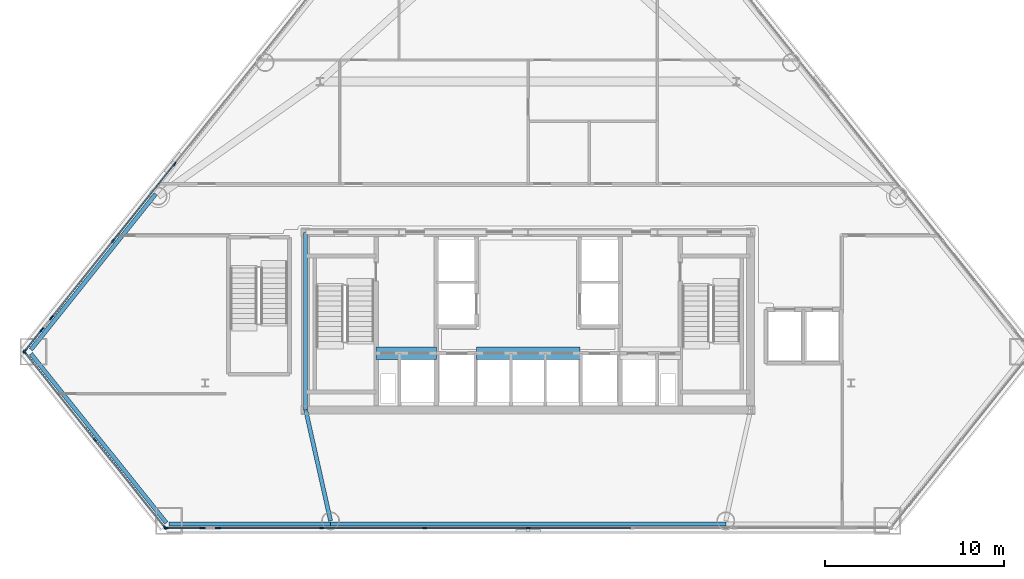
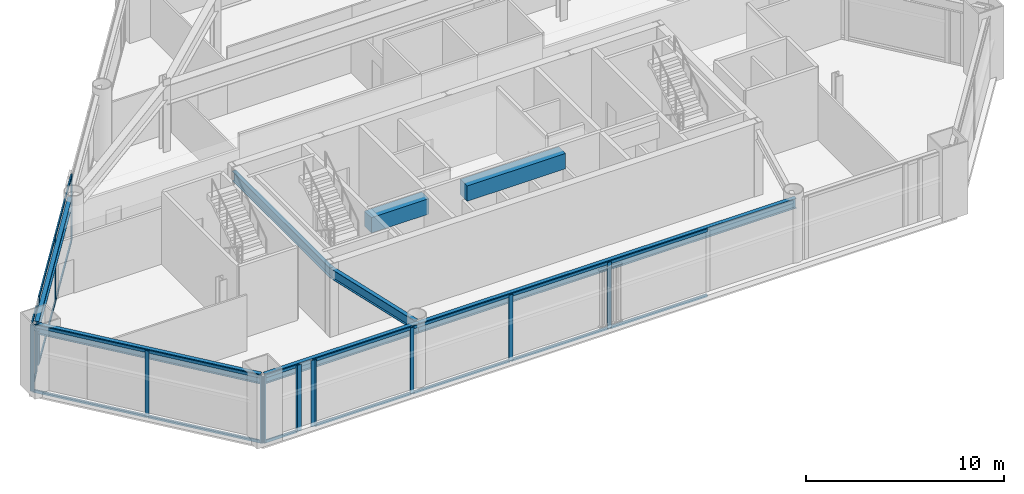
# One storey, part 3 of 13: 38 members, 8 beams, 7 elements without a shape of their own.
"""IFC4 building model written with IfcOpenShell, lengths in metres."""

from ifc_helpers import new_model, si_unit, direction, frame, origin, origin_2d, place, context, subcontext, project, spatial, rectangle, i_section, extrude, material, layer, layer_set, material_profile, profile_set, type_object, element, aggregate, save


model = new_model("IFC4")

# Units and contexts
model_context = context("Model", 3, precision=1e-05, world=origin(), true_north=direction((0.0, 1.0)))
body_context = subcontext(model_context, "Body", "Model", "MODEL_VIEW")
ifc_project = project(units=[si_unit("LENGTHUNIT", "METRE"), si_unit("AREAUNIT", "SQUARE_METRE"), si_unit("VOLUMEUNIT", "CUBIC_METRE"), si_unit("PLANEANGLEUNIT", "RADIAN"), si_unit("MASSUNIT", "GRAM", prefix="KILO")], contexts=[model_context])

# Site, building, storey
site_placement = place(None, origin())
site = spatial("IfcSite", under=ifc_project, at=site_placement, CompositionType="ELEMENT")
building_placement = place(site_placement, origin())
building = spatial("IfcBuilding", under=site, at=building_placement, Name="Talgorran Terracotta Tower", CompositionType="ELEMENT")
storey_placement = place(building_placement, frame((0.0, 0.0, 14.39990234375)))
storey = spatial("IfcBuildingStorey", under=building, at=storey_placement, Name="L03", CompositionType="ELEMENT", Elevation=14.39990234375)

# Beams
ifc_material_1 = material(Name="Concrete C65/80", Category="concrete")
ifc_material_profile_1 = material_profile(ifc_material_1, rectangle(XDim=0.699951171875, YDim=0.949951171875, at=origin_2d()), Name="RCCB700X950")
ifc_profile_set_1 = profile_set([ifc_material_profile_1], Name="Concrete C65/80")
beam_type_1 = type_object("IfcBeamType", Name="BM_CB_700X950", PredefinedType="LINTEL", material=ifc_profile_set_1)
beam_1_placement = place(storey_placement, frame((-8.47998046875, -10.949951171875, 3.625), z_axis=(1.0, 0.0, 0.0), x_axis=(0.0, 1.0, 0.0)))
element("IfcBeam", 1, at=beam_1_placement, inside=storey, type_object=beam_type_1, Name="L03 Core Shear-Wall Coupling Beam CB1", PredefinedType="LINTEL", context=body_context, shape_type="SweptSolid", body=[
    extrude(rectangle(XDim=0.699951171875, YDim=0.949951171875, at=origin_2d()), origin(), (0.0, 0.0, 1.0), 3.35986328125),
])
beam_2_placement = place(storey_placement, frame((-2.8798828125, -10.949951171875, 3.625), z_axis=(1.0, 0.0, 0.0), x_axis=(0.0, 1.0, 0.0)))
element("IfcBeam", 2, at=beam_2_placement, inside=storey, type_object=beam_type_1, Name="L03 Core Shear-Wall Coupling Beam CB2", PredefinedType="LINTEL", context=body_context, shape_type="SweptSolid", body=[
    extrude(rectangle(XDim=0.699951171875, YDim=0.949951171875, at=origin_2d()), origin(), (0.0, 0.0, 1.0), 5.759765625),
])
ifc_material_2 = material(Name="Steel S355 (300PLUS)", Category="steel")
ifc_material_profile_2 = material_profile(ifc_material_2, i_section(OverallWidth=0.22900390625, OverallDepth=0.611572265625, WebThickness=0.011962890625, FlangeThickness=0.01953125, at=origin_2d()), Name="610UB125")
ifc_profile_set_2 = profile_set([ifc_material_profile_2], Name="Steel S355 (300PLUS)")
beam_type_2 = type_object("IfcBeamType", Name="BM_SP_610UB125", PredefinedType="SPANDREL", material=ifc_profile_set_2)
beam_3_placement = place(storey_placement, frame((-27.710205078125, -10.968505859375, 3.794189453125), z_axis=(0.625116627788, -0.780531358539, 0.0), x_axis=(0.780531358539, 0.625116627788, 0.0)))
element("IfcBeam", 3, at=beam_3_placement, inside=storey, type_object=beam_type_2, Name="L03 Perimeter Spandrel Beam MC1-MC2", PredefinedType="SPANDREL", context=body_context, shape_type="SweptSolid", body=[
    extrude(i_section(OverallWidth=0.22900390625, OverallDepth=0.611572265625, WebThickness=0.011962890625, FlangeThickness=0.01953125, at=origin_2d()), origin(), (0.0, 0.0, 1.0), 12.073974609375),
])
beam_4_placement = place(storey_placement, frame((-20.022216796875, -20.4599609375, 3.794189453125), z_axis=(1.0, 0.0, 0.0), x_axis=(0.0, 1.0, 0.0)))
element("IfcBeam", 4, at=beam_4_placement, inside=storey, type_object=beam_type_2, Name="L03 Perimeter Spandrel Beam MC2-FC1", PredefinedType="SPANDREL", context=body_context, shape_type="SweptSolid", body=[
    extrude(i_section(OverallWidth=0.22900390625, OverallDepth=0.611572265625, WebThickness=0.011962890625, FlangeThickness=0.01953125, at=origin_2d()), origin(), (0.0, 0.0, 1.0), 9.010009765625),
])
beam_5_placement = place(storey_placement, frame((-11.01220703125, -20.4599609375, 3.794189453125), z_axis=(1.0, 0.0, 0.0), x_axis=(0.0, 1.0, 0.0)))
element("IfcBeam", 5, at=beam_5_placement, inside=storey, type_object=beam_type_2, Name="L03 Perimeter Spandrel Beam FC1-FC2", PredefinedType="SPANDREL", context=body_context, shape_type="SweptSolid", body=[
    extrude(i_section(OverallWidth=0.22900390625, OverallDepth=0.611572265625, WebThickness=0.011962890625, FlangeThickness=0.01953125, at=origin_2d()), origin(), (0.0, 0.0, 1.0), 22.0244140625),
])
beam_6_placement = place(storey_placement, frame((-20.7607421875, -2.06640625, 3.794189453125), z_axis=(-0.625126142132, -0.780523738539, 0.0), x_axis=(0.780523738539, -0.625126142132, 0.0)))
element("IfcBeam", 6, at=beam_6_placement, inside=storey, type_object=beam_type_2, Name="L03 Perimeter Spandrel Beam FC6-MC1", PredefinedType="SPANDREL", context=body_context, shape_type="SweptSolid", body=[
    extrude(i_section(OverallWidth=0.22900390625, OverallDepth=0.611572265625, WebThickness=0.011962890625, FlangeThickness=0.01953125, at=origin_2d()), origin(), (0.0, 0.0, 1.0), 11.116943359375),
])
beam_7_placement = place(storey_placement, frame((-11.01220703125, -20.280029296875, 3.794189453125), z_axis=(-0.219093011867, 0.975703977726, 0.0), x_axis=(-0.975703977726, -0.219093011867, 0.0)))
element("IfcBeam", 7, at=beam_7_placement, inside=storey, type_object=beam_type_2, Name="L03 South-West Core Tie Beam", PredefinedType="SPANDREL", context=body_context, shape_type="SweptSolid", body=[
    extrude(i_section(OverallWidth=0.22900390625, OverallDepth=0.611572265625, WebThickness=0.011962890625, FlangeThickness=0.01953125, at=origin_2d()), origin(), (0.0, 0.0, 1.0), 6.333740234375),
])
beam_8_placement = place(storey_placement, frame((-12.39990234375, -14.10009765625, 3.794189453125), z_axis=(0.0, 1.0, 0.0), x_axis=(-1.0, 0.0, 0.0)))
element("IfcBeam", 8, at=beam_8_placement, inside=storey, type_object=beam_type_2, Name="L03 Core Frame Beam CFW", PredefinedType="SPANDREL", context=body_context, shape_type="SweptSolid", body=[
    extrude(i_section(OverallWidth=0.22900390625, OverallDepth=0.611572265625, WebThickness=0.011962890625, FlangeThickness=0.01953125, at=origin_2d()), origin(), (0.0, 0.0, 1.0), 9.900146484375),
])

# Curtain wall, members
ifc_material_3 = material(Name="Terracotta and Low-E Glazing", Category="masonry")
ifc_layer = layer(ifc_material_3, 0.219970703125, Name="CW_SYS1_PODIUM")
ifc_layer_set = layer_set([ifc_layer], Name="Terracotta and Low-E Glazing")
curtain_wall_type = type_object("IfcCurtainWallType", Name="CW_SYS1_PODIUM", PredefinedType="NOTDEFINED", material=ifc_layer_set)
curtain_wall_1_placement = place(storey_placement, origin())
curtain_wall_1 = element("IfcCurtainWall", 9, at=curtain_wall_1_placement, inside=storey, type_object=curtain_wall_type, Name="CW-L03-F0", PredefinedType="NOTDEFINED")
ifc_material_4 = material(Name="Architectural Aluminium 6063-T6", Category="aluminium")
ifc_material_profile_3 = material_profile(ifc_material_4, rectangle(XDim=0.074951171875, YDim=0.219970703125, at=origin_2d()), Name="CWM75X220")
ifc_profile_set_3 = profile_set([ifc_material_profile_3], Name="Architectural Aluminium 6063-T6")
member_type_1 = type_object("IfcMemberType", Name="MUL_75X220", PredefinedType="MULLION", material=ifc_profile_set_3)
member_1_placement = place(storey_placement, frame((-28.058837890625, -10.88525390625, 0.0), z_axis=(0.0, 0.0, 1.0), x_axis=(0.780531511293, 0.625116437056, 0.0)))
member_1 = element("IfcMember", 10, at=member_1_placement, type_object=member_type_1, Name="CW-L03-0 mullion 1", PredefinedType="MULLION", context=body_context, shape_type="SweptSolid", body=[
    extrude(rectangle(XDim=0.074951171875, YDim=0.219970703125, at=origin_2d()), origin(), (0.0, 0.0, 1.0), 4.10009765625),
])
member_2_placement = place(storey_placement, frame((-24.1484375, -15.76806640625, 0.0), z_axis=(0.0, 0.0, 1.0), x_axis=(0.780531511293, 0.625116437056, 0.0)))
member_2 = element("IfcMember", 11, at=member_2_placement, type_object=member_type_1, Name="CW-L03-0 mullion 2", PredefinedType="MULLION", context=body_context, shape_type="SweptSolid", body=[
    extrude(rectangle(XDim=0.074951171875, YDim=0.219970703125, at=origin_2d()), origin(), (0.0, 0.0, 1.0), 4.10009765625),
])
member_3_placement = place(storey_placement, frame((-20.23779296875, -20.650634765625, 0.0), z_axis=(0.0, 0.0, 1.0), x_axis=(0.780531511293, 0.625116437056, 0.0)))
member_3 = element("IfcMember", 12, at=member_3_placement, type_object=member_type_1, Name="CW-L03-0 mullion 3", PredefinedType="MULLION", context=body_context, shape_type="SweptSolid", body=[
    extrude(rectangle(XDim=0.074951171875, YDim=0.219970703125, at=origin_2d()), origin(), (0.0, 0.0, 1.0), 4.10009765625),
])

curtain_wall_2_placement = place(storey_placement, origin())
curtain_wall_2 = element("IfcCurtainWall", 13, at=curtain_wall_2_placement, inside=storey, type_object=curtain_wall_type, Name="CW-L03-F1", PredefinedType="NOTDEFINED")
member_4_placement = place(storey_placement, frame((-20.177001953125, -20.679931640625, 0.0), z_axis=(0.0, 0.0, 1.0), x_axis=(0.0, 1.0, 0.0)))
member_4 = element("IfcMember", 14, at=member_4_placement, type_object=member_type_1, Name="CW-L03-1 mullion 1", PredefinedType="MULLION", context=body_context, shape_type="SweptSolid", body=[
    extrude(rectangle(XDim=0.074951171875, YDim=0.219970703125, at=origin_2d()), origin(), (0.0, 0.0, 1.0), 4.10009765625),
])
member_5_placement = place(storey_placement, frame((-18.19873046875, -20.679931640625, 0.0), z_axis=(0.0, 0.0, 1.0), x_axis=(0.0, 1.0, 0.0)))
member_5 = element("IfcMember", 15, at=member_5_placement, type_object=member_type_1, Name="CW-L03-1 mullion 2", PredefinedType="MULLION", context=body_context, shape_type="SweptSolid", body=[
    extrude(rectangle(XDim=0.074951171875, YDim=0.219970703125, at=origin_2d()), origin(), (0.0, 0.0, 1.0), 4.10009765625),
])

curtain_wall_3_placement = place(storey_placement, origin())
curtain_wall_3 = element("IfcCurtainWall", 16, at=curtain_wall_3_placement, inside=storey, type_object=curtain_wall_type, Name="CW-L03-F1B", PredefinedType="NOTDEFINED")
member_6_placement = place(storey_placement, frame((-18.11376953125, -20.679931640625, 0.0), z_axis=(0.0, 0.0, 1.0), x_axis=(0.0, 1.0, 0.0)))
member_6 = element("IfcMember", 17, at=member_6_placement, type_object=member_type_1, Name="CW-L03-1B mullion 1", PredefinedType="MULLION", context=body_context, shape_type="SweptSolid", body=[
    extrude(rectangle(XDim=0.074951171875, YDim=0.219970703125, at=origin_2d()), origin(), (0.0, 0.0, 1.0), 4.10009765625),
])
member_7_placement = place(storey_placement, frame((-17.325927734375, -20.679931640625, 0.0), z_axis=(0.0, 0.0, 1.0), x_axis=(0.0, 1.0, 0.0)))
member_7 = element("IfcMember", 18, at=member_7_placement, type_object=member_type_1, Name="CW-L03-1B mullion 2", PredefinedType="MULLION", context=body_context, shape_type="SweptSolid", body=[
    extrude(rectangle(XDim=0.074951171875, YDim=0.219970703125, at=origin_2d()), origin(), (0.0, 0.0, 1.0), 4.10009765625),
])
aggregate(curtain_wall_3, [member_6, member_7])

curtain_wall_4_placement = place(storey_placement, origin())
curtain_wall_4 = element("IfcCurtainWall", 19, at=curtain_wall_4_placement, inside=storey, type_object=curtain_wall_type, Name="CW-L03-F1C", PredefinedType="NOTDEFINED")
member_8_placement = place(storey_placement, frame((-17.240966796875, -20.679931640625, 0.0), z_axis=(0.0, 0.0, 1.0), x_axis=(0.0, 1.0, 0.0)))
member_8 = element("IfcMember", 20, at=member_8_placement, type_object=member_type_1, Name="CW-L03-1C mullion 1", PredefinedType="MULLION", context=body_context, shape_type="SweptSolid", body=[
    extrude(rectangle(XDim=0.074951171875, YDim=0.219970703125, at=origin_2d()), origin(), (0.0, 0.0, 1.0), 4.10009765625),
])
member_9_placement = place(storey_placement, frame((-11.51904296875, -20.679931640625, 0.0), z_axis=(0.0, 0.0, 1.0), x_axis=(0.0, 1.0, 0.0)))
member_9 = element("IfcMember", 21, at=member_9_placement, type_object=member_type_1, Name="CW-L03-1C mullion 2", PredefinedType="MULLION", context=body_context, shape_type="SweptSolid", body=[
    extrude(rectangle(XDim=0.074951171875, YDim=0.219970703125, at=origin_2d()), origin(), (0.0, 0.0, 1.0), 4.10009765625),
])
member_10_placement = place(storey_placement, frame((-5.759521484375, -20.679931640625, 0.0), z_axis=(0.0, 0.0, 1.0), x_axis=(0.0, 1.0, 0.0)))
member_10 = element("IfcMember", 22, at=member_10_placement, type_object=member_type_1, Name="CW-L03-1C mullion 3", PredefinedType="MULLION", context=body_context, shape_type="SweptSolid", body=[
    extrude(rectangle(XDim=0.074951171875, YDim=0.219970703125, at=origin_2d()), origin(), (0.0, 0.0, 1.0), 4.10009765625),
])
member_11_placement = place(storey_placement, frame((0.0, -20.679931640625, 0.0), z_axis=(0.0, 0.0, 1.0), x_axis=(0.0, 1.0, 0.0)))
member_11 = element("IfcMember", 23, at=member_11_placement, type_object=member_type_1, Name="CW-L03-1C mullion 4", PredefinedType="MULLION", context=body_context, shape_type="SweptSolid", body=[
    extrude(rectangle(XDim=0.074951171875, YDim=0.219970703125, at=origin_2d()), origin(), (0.0, 0.0, 1.0), 4.10009765625),
])

curtain_wall_5_placement = place(storey_placement, origin())
curtain_wall_5 = element("IfcCurtainWall", 24, at=curtain_wall_5_placement, inside=storey, type_object=curtain_wall_type, Name="CW-L03-F5C", PredefinedType="NOTDEFINED")
member_12_placement = place(storey_placement, frame((-19.705810546875, -0.396728515625, 0.0), z_axis=(0.0, 0.0, 1.0), x_axis=(0.780531295105, -0.625116706993, 0.0)))
member_12 = element("IfcMember", 25, at=member_12_placement, type_object=member_type_1, Name="CW-L03-5C mullion 4", PredefinedType="MULLION", context=body_context, shape_type="SweptSolid", body=[
    extrude(rectangle(XDim=0.074951171875, YDim=0.219970703125, at=origin_2d()), origin(), (0.0, 0.0, 1.0), 4.10009765625),
])
member_13_placement = place(storey_placement, frame((-23.136474609375, -4.680419921875, 0.0), z_axis=(0.0, 0.0, 1.0), x_axis=(0.780531295105, -0.625116706993, 0.0)))
member_13 = element("IfcMember", 26, at=member_13_placement, type_object=member_type_1, Name="CW-L03-5C mullion 5", PredefinedType="MULLION", context=body_context, shape_type="SweptSolid", body=[
    extrude(rectangle(XDim=0.074951171875, YDim=0.219970703125, at=origin_2d()), origin(), (0.0, 0.0, 1.0), 4.10009765625),
])
member_14_placement = place(storey_placement, frame((-26.543701171875, -8.934814453125, 0.0), z_axis=(0.0, 0.0, 1.0), x_axis=(0.780531295105, -0.625116706993, 0.0)))
member_14 = element("IfcMember", 27, at=member_14_placement, type_object=member_type_1, Name="CW-L03-5C mullion 6", PredefinedType="MULLION", context=body_context, shape_type="SweptSolid", body=[
    extrude(rectangle(XDim=0.074951171875, YDim=0.219970703125, at=origin_2d()), origin(), (0.0, 0.0, 1.0), 4.10009765625),
])

curtain_wall_6_placement = place(storey_placement, origin())
curtain_wall_6 = element("IfcCurtainWall", 28, at=curtain_wall_6_placement, inside=storey, type_object=curtain_wall_type, Name="CW-L03-F5D", PredefinedType="NOTDEFINED")
member_15_placement = place(storey_placement, frame((-26.596923828125, -9.001220703125, 0.0), z_axis=(0.0, 0.0, 1.0), x_axis=(0.780523605806, -0.625126307861, 0.0)))
member_15 = element("IfcMember", 29, at=member_15_placement, type_object=member_type_1, Name="CW-L03-5D mullion 1", PredefinedType="MULLION", context=body_context, shape_type="SweptSolid", body=[
    extrude(rectangle(XDim=0.074951171875, YDim=0.219970703125, at=origin_2d()), origin(), (0.0, 0.0, 1.0), 4.10009765625),
])
member_16_placement = place(storey_placement, frame((-27.080078125, -9.604736328125, 0.0), z_axis=(0.0, 0.0, 1.0), x_axis=(0.780523605806, -0.625126307861, 0.0)))
member_16 = element("IfcMember", 30, at=member_16_placement, type_object=member_type_1, Name="CW-L03-5D mullion 2", PredefinedType="MULLION", context=body_context, shape_type="SweptSolid", body=[
    extrude(rectangle(XDim=0.074951171875, YDim=0.219970703125, at=origin_2d()), origin(), (0.0, 0.0, 1.0), 4.10009765625),
])
aggregate(curtain_wall_6, [member_15, member_16])

curtain_wall_7_placement = place(storey_placement, origin())
curtain_wall_7 = element("IfcCurtainWall", 31, at=curtain_wall_7_placement, inside=storey, type_object=curtain_wall_type, Name="CW-L03-F5E", PredefinedType="NOTDEFINED")
member_17_placement = place(storey_placement, frame((-27.13330078125, -9.671142578125, 0.0), z_axis=(0.0, 0.0, 1.0), x_axis=(0.780542576711, -0.625102620329, 0.0)))
member_17 = element("IfcMember", 32, at=member_17_placement, type_object=member_type_1, Name="CW-L03-5E mullion 1", PredefinedType="MULLION", context=body_context, shape_type="SweptSolid", body=[
    extrude(rectangle(XDim=0.074951171875, YDim=0.219970703125, at=origin_2d()), origin(), (0.0, 0.0, 1.0), 4.10009765625),
])
member_18_placement = place(storey_placement, frame((-28.058837890625, -10.82666015625, 0.0), z_axis=(0.0, 0.0, 1.0), x_axis=(0.780542576711, -0.625102620329, 0.0)))
member_18 = element("IfcMember", 33, at=member_18_placement, type_object=member_type_1, Name="CW-L03-5E mullion 2", PredefinedType="MULLION", context=body_context, shape_type="SweptSolid", body=[
    extrude(rectangle(XDim=0.074951171875, YDim=0.219970703125, at=origin_2d()), origin(), (0.0, 0.0, 1.0), 4.10009765625),
])

# Member
ifc_material_profile_4 = material_profile(ifc_material_4, rectangle(XDim=0.074951171875, YDim=0.179931640625, at=origin_2d()), Name="CWT75X180")
ifc_profile_set_4 = profile_set([ifc_material_profile_4], Name="Architectural Aluminium 6063-T6")
member_type_2 = type_object("IfcMemberType", Name="TRN_75X180", PredefinedType="USERDEFINED", material=ifc_profile_set_4)
member_19_placement = place(storey_placement, frame((-28.035400390625, -10.91455078125, 0.03759765625), z_axis=(0.625104423976, -0.780541132244, 0.0), x_axis=(0.780541132244, 0.625104423976, 0.0)))
member_19 = element("IfcMember", 34, at=member_19_placement, type_object=member_type_2, Name="CW-L03-0 transom 1.1", ObjectType="TRANSOM", PredefinedType="USERDEFINED", context=body_context, shape_type="SweptSolid", body=[
    extrude(rectangle(XDim=0.074951171875, YDim=0.179931640625, at=origin_2d()), origin(), (0.0, 0.0, 1.0), 6.1806640625),
])

member_20_placement = place(storey_placement, frame((-28.035400390625, -10.91455078125, 4.0625), z_axis=(0.625104423976, -0.780541132244, 0.0), x_axis=(0.780541132244, 0.625104423976, 0.0)))
member_20 = element("IfcMember", 35, at=member_20_placement, type_object=member_type_2, Name="CW-L03-0 transom 1.2", ObjectType="TRANSOM", PredefinedType="USERDEFINED", context=body_context, shape_type="SweptSolid", body=[
    extrude(rectangle(XDim=0.074951171875, YDim=0.179931640625, at=origin_2d()), origin(), (0.0, 0.0, 1.0), 6.1806640625),
])

member_21_placement = place(storey_placement, frame((-24.125, -15.79736328125, 0.03759765625), z_axis=(0.625128488892, -0.780521858999, 0.0), x_axis=(0.780521858999, 0.625128488892, 0.0)))
member_21 = element("IfcMember", 36, at=member_21_placement, type_object=member_type_2, Name="CW-L03-0 transom 2.1", ObjectType="TRANSOM", PredefinedType="USERDEFINED", context=body_context, shape_type="SweptSolid", body=[
    extrude(rectangle(XDim=0.074951171875, YDim=0.179931640625, at=origin_2d()), origin(), (0.0, 0.0, 1.0), 6.1806640625),
])

member_22_placement = place(storey_placement, frame((-24.125, -15.79736328125, 4.0625), z_axis=(0.625128488892, -0.780521858999, 0.0), x_axis=(0.780521858999, 0.625128488892, 0.0)))
member_22 = element("IfcMember", 37, at=member_22_placement, type_object=member_type_2, Name="CW-L03-0 transom 2.2", ObjectType="TRANSOM", PredefinedType="USERDEFINED", context=body_context, shape_type="SweptSolid", body=[
    extrude(rectangle(XDim=0.074951171875, YDim=0.179931640625, at=origin_2d()), origin(), (0.0, 0.0, 1.0), 6.1806640625),
])

aggregate(curtain_wall_1, [member_1, member_2, member_3, member_19, member_20, member_21, member_22])

member_23_placement = place(storey_placement, frame((-20.139404296875, -20.679931640625, 0.03759765625), z_axis=(1.0, 0.0, 0.0), x_axis=(0.0, 1.0, 0.0)))
member_23 = element("IfcMember", 38, at=member_23_placement, type_object=member_type_2, Name="CW-L03-1 transom 1.1", ObjectType="TRANSOM", PredefinedType="USERDEFINED", context=body_context, shape_type="SweptSolid", body=[
    extrude(rectangle(XDim=0.074951171875, YDim=0.179931640625, at=origin_2d()), origin(), (0.0, 0.0, 1.0), 1.903076171875),
])

member_24_placement = place(storey_placement, frame((-20.139404296875, -20.679931640625, 4.0625), z_axis=(1.0, 0.0, 0.0), x_axis=(0.0, 1.0, 0.0)))
member_24 = element("IfcMember", 39, at=member_24_placement, type_object=member_type_2, Name="CW-L03-1 transom 1.2", ObjectType="TRANSOM", PredefinedType="USERDEFINED", context=body_context, shape_type="SweptSolid", body=[
    extrude(rectangle(XDim=0.074951171875, YDim=0.179931640625, at=origin_2d()), origin(), (0.0, 0.0, 1.0), 1.903076171875),
])

aggregate(curtain_wall_2, [member_4, member_5, member_23, member_24])

member_25_placement = place(storey_placement, frame((-17.20361328125, -20.679931640625, 0.03759765625), z_axis=(1.0, 0.0, 0.0), x_axis=(0.0, 1.0, 0.0)))
member_25 = element("IfcMember", 40, at=member_25_placement, type_object=member_type_2, Name="CW-L03-1C transom 1.1", ObjectType="TRANSOM", PredefinedType="USERDEFINED", context=body_context, shape_type="SweptSolid", body=[
    extrude(rectangle(XDim=0.074951171875, YDim=0.179931640625, at=origin_2d()), origin(), (0.0, 0.0, 1.0), 5.647216796875),
])

member_26_placement = place(storey_placement, frame((-17.20361328125, -20.679931640625, 4.0625), z_axis=(1.0, 0.0, 0.0), x_axis=(0.0, 1.0, 0.0)))
member_26 = element("IfcMember", 41, at=member_26_placement, type_object=member_type_2, Name="CW-L03-1C transom 1.2", ObjectType="TRANSOM", PredefinedType="USERDEFINED", context=body_context, shape_type="SweptSolid", body=[
    extrude(rectangle(XDim=0.074951171875, YDim=0.179931640625, at=origin_2d()), origin(), (0.0, 0.0, 1.0), 5.647216796875),
])

member_27_placement = place(storey_placement, frame((-11.4814453125, -20.679931640625, 0.03759765625), z_axis=(1.0, 0.0, 0.0), x_axis=(0.0, 1.0, 0.0)))
member_27 = element("IfcMember", 42, at=member_27_placement, type_object=member_type_2, Name="CW-L03-1C transom 2.1", ObjectType="TRANSOM", PredefinedType="USERDEFINED", context=body_context, shape_type="SweptSolid", body=[
    extrude(rectangle(XDim=0.074951171875, YDim=0.179931640625, at=origin_2d()), origin(), (0.0, 0.0, 1.0), 5.684326171875),
])

member_28_placement = place(storey_placement, frame((-11.4814453125, -20.679931640625, 4.0625), z_axis=(1.0, 0.0, 0.0), x_axis=(0.0, 1.0, 0.0)))
member_28 = element("IfcMember", 43, at=member_28_placement, type_object=member_type_2, Name="CW-L03-1C transom 2.2", ObjectType="TRANSOM", PredefinedType="USERDEFINED", context=body_context, shape_type="SweptSolid", body=[
    extrude(rectangle(XDim=0.074951171875, YDim=0.179931640625, at=origin_2d()), origin(), (0.0, 0.0, 1.0), 5.684326171875),
])

member_29_placement = place(storey_placement, frame((-5.721923828125, -20.679931640625, 0.03759765625), z_axis=(1.0, 0.0, 0.0), x_axis=(0.0, 1.0, 0.0)))
member_29 = element("IfcMember", 44, at=member_29_placement, type_object=member_type_2, Name="CW-L03-1C transom 3.1", ObjectType="TRANSOM", PredefinedType="USERDEFINED", context=body_context, shape_type="SweptSolid", body=[
    extrude(rectangle(XDim=0.074951171875, YDim=0.179931640625, at=origin_2d()), origin(), (0.0, 0.0, 1.0), 5.684326171875),
])

member_30_placement = place(storey_placement, frame((-5.721923828125, -20.679931640625, 4.0625), z_axis=(1.0, 0.0, 0.0), x_axis=(0.0, 1.0, 0.0)))
member_30 = element("IfcMember", 45, at=member_30_placement, type_object=member_type_2, Name="CW-L03-1C transom 3.2", ObjectType="TRANSOM", PredefinedType="USERDEFINED", context=body_context, shape_type="SweptSolid", body=[
    extrude(rectangle(XDim=0.074951171875, YDim=0.179931640625, at=origin_2d()), origin(), (0.0, 0.0, 1.0), 5.684326171875),
])

member_31_placement = place(storey_placement, frame((0.03759765625, -20.679931640625, 0.03759765625), z_axis=(1.0, 0.0, 0.0), x_axis=(0.0, 1.0, 0.0)))
member_31 = element("IfcMember", 46, at=member_31_placement, type_object=member_type_2, Name="CW-L03-1C transom 4.1", ObjectType="TRANSOM", PredefinedType="USERDEFINED", context=body_context, shape_type="SweptSolid", body=[
    extrude(rectangle(XDim=0.074951171875, YDim=0.179931640625, at=origin_2d()), origin(), (0.0, 0.0, 1.0), 5.684326171875),
])

member_32_placement = place(storey_placement, frame((0.03759765625, -20.679931640625, 4.0625), z_axis=(1.0, 0.0, 0.0), x_axis=(0.0, 1.0, 0.0)))
member_32 = element("IfcMember", 47, at=member_32_placement, type_object=member_type_2, Name="CW-L03-1C transom 4.2", ObjectType="TRANSOM", PredefinedType="USERDEFINED", context=body_context, shape_type="SweptSolid", body=[
    extrude(rectangle(XDim=0.074951171875, YDim=0.179931640625, at=origin_2d()), origin(), (0.0, 0.0, 1.0), 5.684326171875),
])

aggregate(curtain_wall_4, [member_8, member_9, member_10, member_11, member_25, member_26, member_27, member_28, member_29, member_30, member_31, member_32])

member_33_placement = place(storey_placement, frame((-19.729248046875, -0.426025390625, 0.03759765625), z_axis=(-0.625090970373, -0.780551906511, 0.0), x_axis=(0.780551906511, -0.625090970373, 0.0)))
member_33 = element("IfcMember", 48, at=member_33_placement, type_object=member_type_2, Name="CW-L03-5C transom 4.1", ObjectType="TRANSOM", PredefinedType="USERDEFINED", context=body_context, shape_type="SweptSolid", body=[
    extrude(rectangle(XDim=0.074951171875, YDim=0.179931640625, at=origin_2d()), origin(), (0.0, 0.0, 1.0), 5.413330078125),
])

member_34_placement = place(storey_placement, frame((-19.729248046875, -0.426025390625, 4.0625), z_axis=(-0.625090970373, -0.780551906511, 0.0), x_axis=(0.780551906511, -0.625090970373, 0.0)))
member_34 = element("IfcMember", 49, at=member_34_placement, type_object=member_type_2, Name="CW-L03-5C transom 4.2", ObjectType="TRANSOM", PredefinedType="USERDEFINED", context=body_context, shape_type="SweptSolid", body=[
    extrude(rectangle(XDim=0.074951171875, YDim=0.179931640625, at=origin_2d()), origin(), (0.0, 0.0, 1.0), 5.413330078125),
])

member_35_placement = place(storey_placement, frame((-23.159912109375, -4.709716796875, 0.03759765625), z_axis=(-0.62509373302, -0.780549694087, 0.0), x_axis=(0.780549694087, -0.62509373302, 0.0)))
member_35 = element("IfcMember", 50, at=member_35_placement, type_object=member_type_2, Name="CW-L03-5C transom 5.1", ObjectType="TRANSOM", PredefinedType="USERDEFINED", context=body_context, shape_type="SweptSolid", body=[
    extrude(rectangle(XDim=0.074951171875, YDim=0.179931640625, at=origin_2d()), origin(), (0.0, 0.0, 1.0), 5.375732421875),
])

member_36_placement = place(storey_placement, frame((-23.159912109375, -4.709716796875, 4.0625), z_axis=(-0.62509373302, -0.780549694087, 0.0), x_axis=(0.780549694087, -0.62509373302, 0.0)))
member_36 = element("IfcMember", 51, at=member_36_placement, type_object=member_type_2, Name="CW-L03-5C transom 5.2", ObjectType="TRANSOM", PredefinedType="USERDEFINED", context=body_context, shape_type="SweptSolid", body=[
    extrude(rectangle(XDim=0.074951171875, YDim=0.179931640625, at=origin_2d()), origin(), (0.0, 0.0, 1.0), 5.375732421875),
])

aggregate(curtain_wall_5, [member_12, member_13, member_14, member_33, member_34, member_35, member_36])

member_37_placement = place(storey_placement, frame((-27.15673828125, -9.700439453125, 0.03759765625), z_axis=(-0.625182161213, -0.780478869222, 0.0), x_axis=(0.780478869222, -0.625182161213, 0.0)))
member_37 = element("IfcMember", 52, at=member_37_placement, type_object=member_type_2, Name="CW-L03-5E transom 1.1", ObjectType="TRANSOM", PredefinedType="USERDEFINED", context=body_context, shape_type="SweptSolid", body=[
    extrude(rectangle(XDim=0.074951171875, YDim=0.179931640625, at=origin_2d()), origin(), (0.0, 0.0, 1.0), 1.405517578125),
])

member_38_placement = place(storey_placement, frame((-27.15673828125, -9.700439453125, 4.0625), z_axis=(-0.625182161213, -0.780478869222, 0.0), x_axis=(0.780478869222, -0.625182161213, 0.0)))
member_38 = element("IfcMember", 53, at=member_38_placement, type_object=member_type_2, Name="CW-L03-5E transom 1.2", ObjectType="TRANSOM", PredefinedType="USERDEFINED", context=body_context, shape_type="SweptSolid", body=[
    extrude(rectangle(XDim=0.074951171875, YDim=0.179931640625, at=origin_2d()), origin(), (0.0, 0.0, 1.0), 1.405517578125),
])

aggregate(curtain_wall_7, [member_17, member_18, member_37, member_38])

save(model, "model.ifc")
